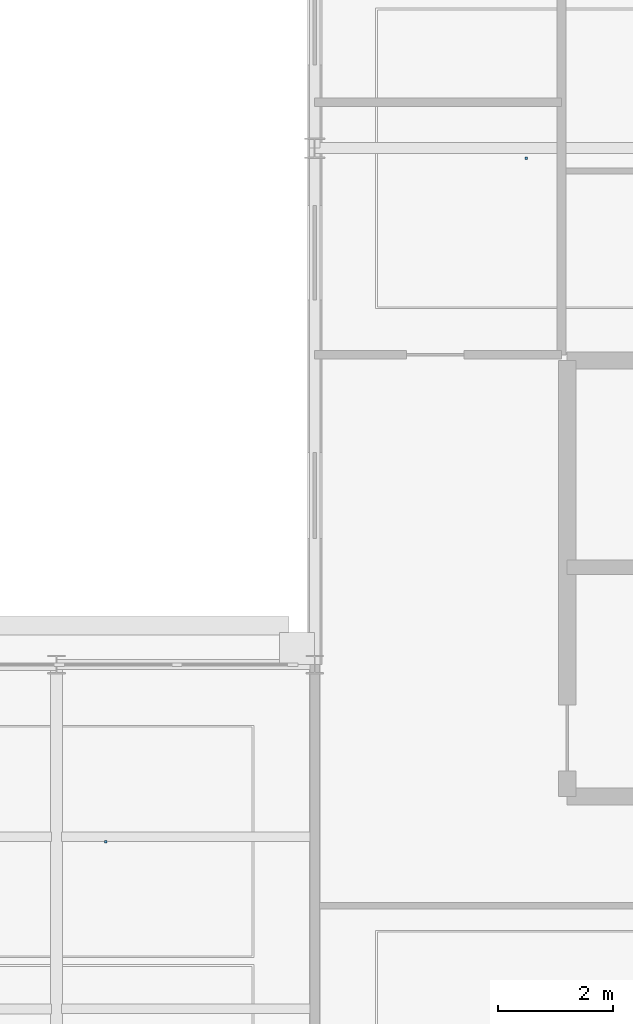
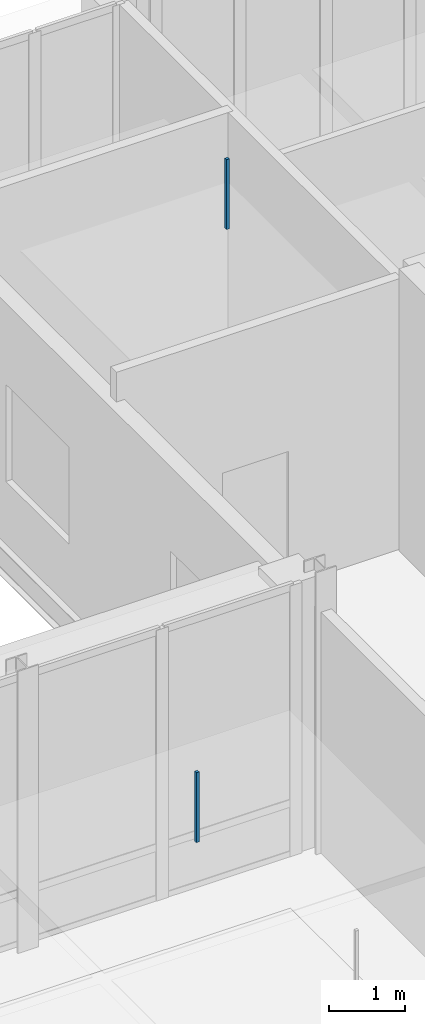
# One storey, part 119 of 140: 2 discrete accessories.
"""IFC4 building model written with IfcOpenShell, lengths in metres."""

from ifc_helpers import new_model, si_unit, direction, frame, origin, origin_2d, place, context, subcontext, project, spatial, rectangle, extrude, material, type_object, element, save


model = new_model("IFC4")

# Units and contexts
model_context = context("Model", 3, precision=1e-05, world=origin(), true_north=direction((0.0, 1.0)))
body_context = subcontext(model_context, "Body", "Model", "MODEL_VIEW")
ifc_project = project(units=[si_unit("LENGTHUNIT", "METRE"), si_unit("AREAUNIT", "SQUARE_METRE"), si_unit("VOLUMEUNIT", "CUBIC_METRE"), si_unit("PLANEANGLEUNIT", "RADIAN"), si_unit("MASSUNIT", "GRAM", prefix="KILO"), si_unit("THERMODYNAMICTEMPERATUREUNIT", "KELVIN"), si_unit("POWERUNIT", "WATT")], contexts=[model_context])

# Site, building, storey
site_placement = place(None, origin())
site = spatial("IfcSite", under=ifc_project, at=site_placement, CompositionType="ELEMENT")
building_placement = place(site_placement, origin())
building = spatial("IfcBuilding", under=site, at=building_placement, Name="Tallowbark Science Centre", CompositionType="ELEMENT")
storey_placement = place(building_placement, frame((0.0, 0.0, 9.89990234375)))
storey = spatial("IfcBuildingStorey", under=building, at=storey_placement, Name="L02", CompositionType="ELEMENT", Elevation=9.89990234375)

# Discrete accessories
ifc_material = material(Name="Galvanised Steel Grade C350L0 (350 MPa)", Category="steel")
discrete_accessory_type = type_object("IfcDiscreteAccessoryType", Name="ACC-CLG-HNG", PredefinedType="BRACKET", material=ifc_material)
discrete_accessory_1_placement = place(storey_placement, frame((108.861083984375, 95.916748046875, 3.205078125), z_axis=(0.0, 0.0, 1.0), x_axis=(1.0, 0.0, 0.0)))
element("IfcDiscreteAccessory", 1, at=discrete_accessory_1_placement, inside=storey, type_object=discrete_accessory_type, Name="Ceiling Hanger Bracket L02-910", PredefinedType="BRACKET", context=body_context, shape_type="SweptSolid", body=[
    extrude(rectangle(XDim=0.044921875, YDim=0.044921875, at=origin_2d()), origin(), (0.0, 0.0, 1.0), 1.117919921875),
])
discrete_accessory_2_placement = place(storey_placement, frame((116.1875, 107.8212890625, 3.2060546875), z_axis=(0.0, 0.0, 1.0), x_axis=(1.0, 0.0, 0.0)))
element("IfcDiscreteAccessory", 2, at=discrete_accessory_2_placement, inside=storey, type_object=discrete_accessory_type, Name="Ceiling Hanger Bracket L02-912", PredefinedType="BRACKET", context=body_context, shape_type="SweptSolid", body=[
    extrude(rectangle(XDim=0.044921875, YDim=0.044921875, at=origin_2d()), origin(), (0.0, 0.0, 1.0), 1.116943359375),
])

save(model, "model.ifc")
